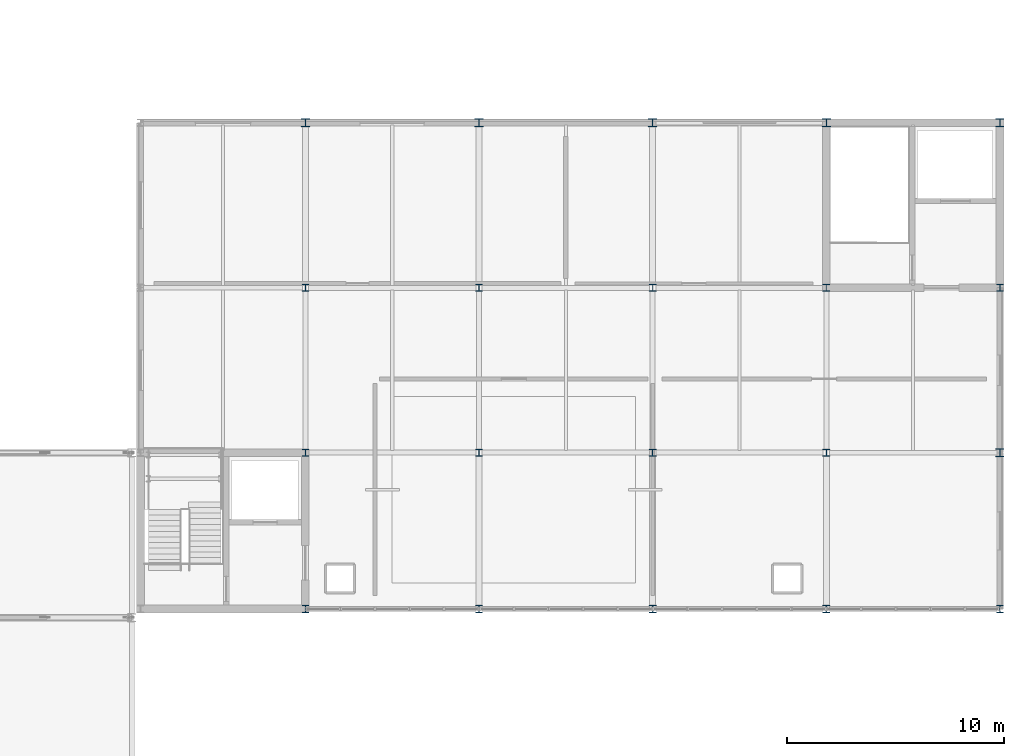
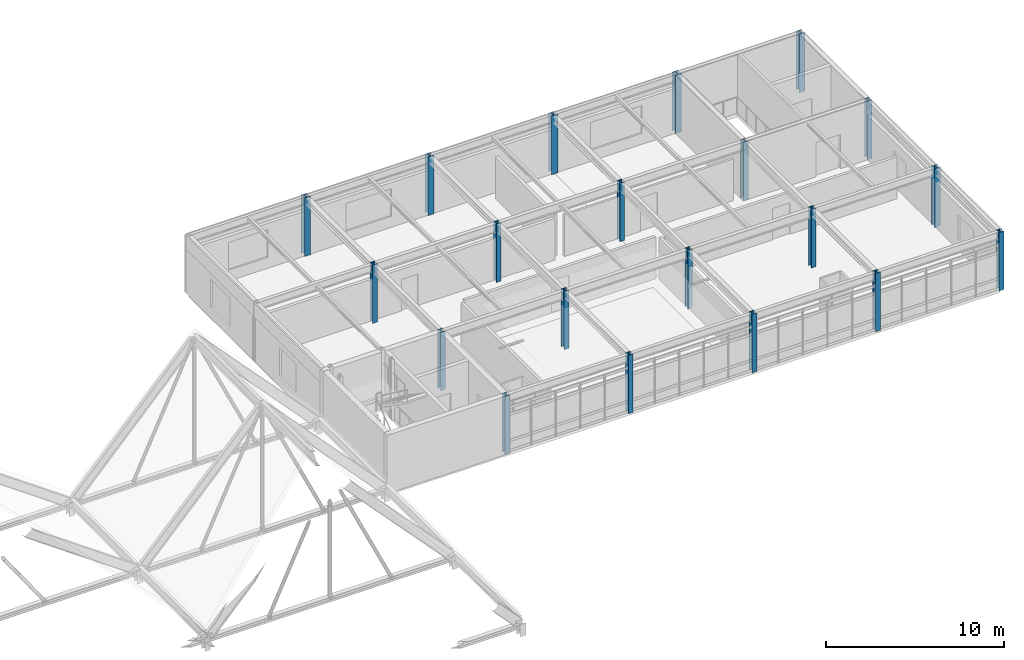
# One storey, part 13 of 85: 20 columns.
"""IFC4 building model written with IfcOpenShell, lengths in metres."""

import ifcopenshell
import ifcopenshell.guid

model = None  # the IFC model being written
_history = None  # IfcOwnerHistory: only IFC2X3 demands one
_inside = {}  # id of a spatial element -> (the spatial element, [elements in it])
_under = {}  # id of a project, library or spatial element -> (it, [spatial elements below it])
_declared = {}  # id of a project -> (the project, [libraries it declares])
_typed = {}  # id of a type object -> (the type object, [elements of that type])
_made_of = {}  # id of a material, layer set ... -> (it, [elements and type objects made of it])


def new_model(schema):
    """Start an empty IFC model of exactly this schema.

    Asked for "IFC4X3", IfcOpenShell would pick the latest addendum, in which some entities
    have other attributes; the version numbers below select the first issue.
    IFC2X3 requires an IfcOwnerHistory on every rooted entity: one is made here for all.
    """
    global model, _history
    if schema == "IFC4X3":
        model = ifcopenshell.file(schema_version=(4, 3, 0, 0))
    else:
        model = ifcopenshell.file(schema=schema)
    _inside.clear()
    _under.clear()
    _declared.clear()
    _typed.clear()
    _made_of.clear()
    _history = None
    if model.schema == "IFC2X3":
        org = make("IfcOrganization", Name="unknown")
        user = make(
            "IfcPersonAndOrganization",
            ThePerson=make("IfcPerson", FamilyName="unknown"),
            TheOrganization=org,
        )
        app = make(
            "IfcApplication",
            ApplicationDeveloper=org,
            Version="unknown",
            ApplicationFullName="unknown",
            ApplicationIdentifier="unknown",
        )
        _history = make(
            "IfcOwnerHistory",
            OwningUser=user,
            OwningApplication=app,
            ChangeAction="ADDED",
            CreationDate=0,
        )
    return model


def make(cls, **values):
    """One entity of the class cls with the attributes given. An attribute that is None is left unset."""
    return model.create_entity(
        cls, **{name: value for name, value in values.items() if value is not None}
    )


def rooted(cls, **values):
    """An entity with a GlobalId (a new one), such as an element, a storey or a relation."""
    return make(cls, GlobalId=ifcopenshell.guid.new(), OwnerHistory=_history, **values)


def si_unit(unit_type, name, prefix=None):
    """IfcSIUnit, for example si_unit("LENGTHUNIT", "METRE", prefix="MILLI")."""
    return make("IfcSIUnit", UnitType=unit_type, Prefix=prefix, Name=name)


def assignment(units):
    """IfcUnitAssignment: the units of a project."""
    return None if units is None else make("IfcUnitAssignment", Units=units)


def point(xyz):
    """IfcCartesianPoint."""
    return None if xyz is None else make("IfcCartesianPoint", Coordinates=xyz)


def direction(xyz):
    """IfcDirection."""
    return None if xyz is None else make("IfcDirection", DirectionRatios=xyz)


def frame(location, z_axis=None, x_axis=None):
    """IfcAxis2Placement3D, a coordinate frame: its origin and axes. An axis left out is left unset."""
    return make(
        "IfcAxis2Placement3D",
        Location=point(location),
        Axis=direction(z_axis),
        RefDirection=direction(x_axis),
    )


def frame_2d(location, x_axis=None):
    """IfcAxis2Placement2D, a coordinate frame in the plane: its origin and x axis."""
    return make(
        "IfcAxis2Placement2D", Location=point(location), RefDirection=direction(x_axis)
    )


def origin():
    """The frame at (0, 0, 0) with its axes left unset."""
    return frame((0.0, 0.0, 0.0))


def origin_2d():
    """The frame at (0, 0) in the plane with its x axis left unset."""
    return frame_2d((0.0, 0.0))


def place(relative_to, where):
    """IfcLocalPlacement: puts the frame where relative to a parent placement (None: the world)."""
    return make(
        "IfcLocalPlacement", PlacementRelTo=relative_to, RelativePlacement=where
    )


def context(
    kind, dimensions, precision=None, world=None, true_north=None, identifier=None
):
    """IfcGeometricRepresentationContext, for example the 3D "Model" context."""
    return make(
        "IfcGeometricRepresentationContext",
        ContextIdentifier=identifier,
        ContextType=kind,
        CoordinateSpaceDimension=dimensions,
        Precision=precision,
        WorldCoordinateSystem=world,
        TrueNorth=true_north,
    )


def subcontext(parent, identifier, kind, view, scale=None):
    """IfcGeometricRepresentationSubContext, for example "Body" below "Model"."""
    return make(
        "IfcGeometricRepresentationSubContext",
        ContextIdentifier=identifier,
        ContextType=kind,
        ParentContext=parent,
        TargetScale=scale,
        TargetView=view,
    )


def project(units=None, contexts=None):
    """IfcProject with its units and contexts."""
    return rooted(
        "IfcProject",
        Name="project",
        RepresentationContexts=contexts,
        UnitsInContext=assignment(units),
    )


def spatial(cls, under=None, at=None, **own):
    """A site, building, storey or space (cls), placed at a placement, below another one or the project."""
    s = rooted(cls, ObjectPlacement=at, **own)
    if under is not None:
        _under.setdefault(under.id(), (under, []))[1].append(s)
    return s


def profile(cls, at=None, kind="AREA", **sizes):
    """A parametric profile (cls). Its sizes go by their IFC names, for example OverallWidth=200.0."""
    return make(cls, ProfileType=kind, Position=at, **sizes)


def i_section(**sizes):
    """IfcIShapeProfileDef."""
    return profile("IfcIShapeProfileDef", **sizes)


def extrude(swept, where, along, depth):
    """IfcExtrudedAreaSolid: the profile swept, set in the frame where, extruded along a direction by depth."""
    return make(
        "IfcExtrudedAreaSolid",
        SweptArea=swept,
        Position=where,
        ExtrudedDirection=direction(along),
        Depth=depth,
    )


def shape(context_of_items, identifier, shape_type, items):
    """IfcShapeRepresentation: the items that make up one representation, for example the "Body"."""
    return make(
        "IfcShapeRepresentation",
        ContextOfItems=context_of_items,
        RepresentationIdentifier=identifier,
        RepresentationType=shape_type,
        Items=items,
    )


def material(Name=None, Category=None):
    """IfcMaterial."""
    return make("IfcMaterial", Name=Name, Category=Category)


def material_profile(
    of_material, cross_section, Name=None, Category=None, Priority=None
):
    """IfcMaterialProfile: a cross section and its material."""
    return make(
        "IfcMaterialProfile",
        Name=Name,
        Material=of_material,
        Profile=cross_section,
        Priority=Priority,
        Category=Category,
    )


def profile_set(profiles, Name=None, composite=None):
    """IfcMaterialProfileSet."""
    return make(
        "IfcMaterialProfileSet",
        Name=Name,
        MaterialProfiles=profiles,
        CompositeProfile=composite,
    )


def made_of(thing, what):
    """Note that an element or type object is made of a material, layer set ...; save() writes the relation."""
    if what is not None:
        _made_of.setdefault(what.id(), (what, []))[1].append(thing)
    return thing


def type_object(cls, material=None, **own):
    """A type object (cls), such as IfcWallType, which elements share."""
    return made_of(rooted(cls, **own), material)


def element(
    cls,
    number,
    at=None,
    inside=None,
    cuts=None,
    type_object=None,
    material=None,
    context=None,
    identifier="Body",
    shape_type=None,
    held_by="IfcProductDefinitionShape",
    body=None,
    shapes=None,
    **own,
):
    """One element of the class cls, such as IfcWall. Its Tag is "e" and its number.

    at: its placement. inside: the storey or other place that contains it. cuts: it is an
    opening in that element (IfcRelVoidsElement). A single representation is given by context,
    identifier, shape_type and body (its items); several are given by shapes. held_by: the class
    of the entity that holds the representations. save() writes the other relations.
    """
    e = rooted(cls, Tag="e%d" % number, ObjectPlacement=at, **own)
    if body is not None:
        shapes = [shape(context, identifier, shape_type, body)]
    if shapes is not None:
        e.Representation = make(held_by, Representations=shapes)
    if inside is not None:
        _inside.setdefault(inside.id(), (inside, []))[1].append(e)
    if cuts is not None:
        rooted(
            "IfcRelVoidsElement", RelatingBuildingElement=cuts, RelatedOpeningElement=e
        )
    if type_object is not None:
        _typed.setdefault(type_object.id(), (type_object, []))[1].append(e)
    return made_of(e, material)


def aggregate(whole, parts):
    """IfcRelAggregates: a whole, such as a stair, and the parts it consists of."""
    return rooted("IfcRelAggregates", RelatingObject=whole, RelatedObjects=parts)


def save(model, path):
    """Write the relations noted so far, then the file.

    IfcRelAggregates (storeys below a building ...), IfcRelContainedInSpatialStructure (elements
    in a storey), IfcRelDefinesByType, IfcRelAssociatesMaterial and IfcRelDeclares: one each for
    every whole, place, type object, material and project.
    """
    for whole, parts in _under.values():
        aggregate(whole, parts)
    for where, things in _inside.values():
        rooted(
            "IfcRelContainedInSpatialStructure",
            RelatedElements=things,
            RelatingStructure=where,
        )
    for kind, things in _typed.values():
        rooted("IfcRelDefinesByType", RelatedObjects=things, RelatingType=kind)
    for what, things in _made_of.values():
        rooted("IfcRelAssociatesMaterial", RelatedObjects=things, RelatingMaterial=what)
    for by, libraries in _declared.values():
        rooted("IfcRelDeclares", RelatingContext=by, RelatedDefinitions=libraries)
    model.write(path)


model = new_model("IFC4")

# Units and contexts
model_context = context("Model", 3, precision=1e-05, world=origin(), true_north=direction((0.0, 1.0)))
body_context = subcontext(model_context, "Body", "Model", "MODEL_VIEW")
ifc_project = project(units=[si_unit("LENGTHUNIT", "METRE"), si_unit("AREAUNIT", "SQUARE_METRE"), si_unit("VOLUMEUNIT", "CUBIC_METRE"), si_unit("PLANEANGLEUNIT", "RADIAN"), si_unit("MASSUNIT", "GRAM", prefix="KILO")], contexts=[model_context])

# Site, building, storey
site_placement = place(None, origin())
site = spatial("IfcSite", under=ifc_project, at=site_placement, CompositionType="ELEMENT")
building_placement = place(site_placement, origin())
building = spatial("IfcBuilding", under=site, at=building_placement, Name="Zulena Civic Courthouse", CompositionType="ELEMENT")
storey_placement = place(building_placement, frame((0.0, 0.0, 25.199951171875)))
storey = spatial("IfcBuildingStorey", under=building, at=storey_placement, Name="L05", CompositionType="ELEMENT", Elevation=25.199951171875)

# Columns
ifc_material = material(Name="Steel ASTM A992 Grade 50", Category="steel")
ifc_material_profile_1 = material_profile(ifc_material, i_section(OverallWidth=0.31298828125, OverallDepth=0.3330078125, WebThickness=0.01806640625, FlangeThickness=0.0283203125, FilletRadius=0.01513671875, at=origin_2d()), Name="W12X120")
ifc_profile_set_1 = profile_set([ifc_material_profile_1], Name="Steel ASTM A992 Grade 50")
column_type_1 = type_object("IfcColumnType", Name="Col_W12X120", PredefinedType="COLUMN", material=ifc_profile_set_1)
for number, where, z_axis, x_axis, name in (
    (1, (132.0, 38.0, 0.0), (0.0, 0.0, 1.0), (1.0, 0.0, 0.0), "col:V3:L05:132.0:38.0"),
    (2, (140.0, 38.0, 0.0), (0.0, 0.0, 1.0), (1.0, 0.0, 0.0), "col:V3:L05:140.0:38.0"),
    (3, (148.0, 38.0, 0.0), (0.0, 0.0, 1.0), (1.0, 0.0, 0.0), "col:V3:L05:148.0:38.0"),
    (4, (156.0, 38.0, 0.0), (0.0, 0.0, 1.0), (1.0, 0.0, 0.0), "col:V3:L05:156.0:38.0"),
):
    element("IfcColumn", number, at=place(storey_placement, frame(where, z_axis=z_axis, x_axis=x_axis)), inside=storey, type_object=column_type_1, Name=name, PredefinedType="COLUMN", context=body_context, shape_type="SweptSolid", body=[
        extrude(i_section(OverallWidth=0.31298828125, OverallDepth=0.3330078125, WebThickness=0.01806640625, FlangeThickness=0.0283203125, FilletRadius=0.01513671875, at=origin_2d()), origin(), (0.0, 0.0, 1.0), 3.9951171875),
    ])
ifc_material_profile_2 = material_profile(ifc_material, i_section(OverallWidth=0.30908203125, OverallDepth=0.322998046875, WebThickness=0.013916015625, FlangeThickness=0.02294921875, FilletRadius=0.01513671875, at=origin_2d()), Name="W12X96")
ifc_profile_set_2 = profile_set([ifc_material_profile_2], Name="Steel ASTM A992 Grade 50")
column_type_2 = type_object("IfcColumnType", Name="Col_W12X96", PredefinedType="COLUMN", material=ifc_profile_set_2)
for number, where, z_axis, x_axis, name in (
    (5, (132.0, 30.800048828125, 0.0), (0.0, 0.0, 1.0), (1.0, 0.0, 0.0), "col:V3:L05:132.0:30.8"),
    (6, (132.0, 45.60009765625, 0.0), (0.0, 0.0, 1.0), (1.0, 0.0, 0.0), "col:V3:L05:132.0:45.6"),
    (7, (140.0, 30.800048828125, 0.0), (0.0, 0.0, 1.0), (1.0, 0.0, 0.0), "col:V3:L05:140.0:30.8"),
    (8, (140.0, 45.60009765625, 0.0), (0.0, 0.0, 1.0), (1.0, 0.0, 0.0), "col:V3:L05:140.0:45.6"),
    (9, (148.0, 30.800048828125, 0.0), (0.0, 0.0, 1.0), (1.0, 0.0, 0.0), "col:V3:L05:148.0:30.8"),
    (10, (148.0, 45.60009765625, 0.0), (0.0, 0.0, 1.0), (1.0, 0.0, 0.0), "col:V3:L05:148.0:45.6"),
    (11, (156.0, 30.800048828125, 0.0), (0.0, 0.0, 1.0), (1.0, 0.0, 0.0), "col:V3:L05:156.0:30.8"),
    (12, (156.0, 45.60009765625, 0.0), (0.0, 0.0, 1.0), (1.0, 0.0, 0.0), "col:V3:L05:156.0:45.6"),
    (13, (164.0, 30.800048828125, 0.0), (0.0, 0.0, 1.0), (1.0, 0.0, 0.0), "col:V3:L05:164.0:30.8"),
    (14, (164.0, 45.60009765625, 0.0), (0.0, 0.0, 1.0), (1.0, 0.0, 0.0), "col:V3:L05:164.0:45.6"),
):
    element("IfcColumn", number, at=place(storey_placement, frame(where, z_axis=z_axis, x_axis=x_axis)), inside=storey, type_object=column_type_2, Name=name, PredefinedType="COLUMN", context=body_context, shape_type="SweptSolid", body=[
        extrude(i_section(OverallWidth=0.30908203125, OverallDepth=0.322998046875, WebThickness=0.013916015625, FlangeThickness=0.02294921875, FilletRadius=0.01513671875, at=origin_2d()), origin(), (0.0, 0.0, 1.0), 3.9951171875),
    ])
ifc_material_profile_3 = material_profile(ifc_material, i_section(OverallWidth=0.373046875, OverallDepth=0.367919921875, WebThickness=0.014892578125, FlangeThickness=0.02392578125, FilletRadius=0.01513671875, at=origin_2d()), Name="W14X120")
ifc_profile_set_3 = profile_set([ifc_material_profile_3], Name="Steel ASTM A992 Grade 50")
column_type_3 = type_object("IfcColumnType", Name="Col_W14X120", PredefinedType="COLUMN", material=ifc_profile_set_3)
for number, where, z_axis, x_axis, name in (
    (15, (164.0, 38.0, 0.0), (0.0, 0.0, 1.0), (1.0, 0.0, 0.0), "col:V3:L05:164.0:38.0"),
    (16, (164.0, 53.199951171875, 0.0), (0.0, 0.0, 1.0), (1.0, 0.0, 0.0), "col:V3:L05:164.0:53.2"),
):
    element("IfcColumn", number, at=place(storey_placement, frame(where, z_axis=z_axis, x_axis=x_axis)), inside=storey, type_object=column_type_3, Name=name, PredefinedType="COLUMN", context=body_context, shape_type="SweptSolid", body=[
        extrude(i_section(OverallWidth=0.373046875, OverallDepth=0.367919921875, WebThickness=0.014892578125, FlangeThickness=0.02392578125, FilletRadius=0.01513671875, at=origin_2d()), origin(), (0.0, 0.0, 1.0), 3.9951171875),
    ])
ifc_material_profile_4 = material_profile(ifc_material, i_section(OverallWidth=0.39404296875, OverallDepth=0.3759765625, WebThickness=0.017333984375, FlangeThickness=0.027587890625, FilletRadius=0.01513671875, at=origin_2d()), Name="W14X145")
ifc_profile_set_4 = profile_set([ifc_material_profile_4], Name="Steel ASTM A992 Grade 50")
column_type_4 = type_object("IfcColumnType", Name="Col_W14X145", PredefinedType="COLUMN", material=ifc_profile_set_4)
for number, where, z_axis, x_axis, name in (
    (17, (132.0, 53.199951171875, 0.0), (0.0, 0.0, 1.0), (1.0, 0.0, 0.0), "col:V3:L05:132.0:53.2"),
    (18, (140.0, 53.199951171875, 0.0), (0.0, 0.0, 1.0), (1.0, 0.0, 0.0), "col:V3:L05:140.0:53.2"),
    (19, (148.0, 53.199951171875, 0.0), (0.0, 0.0, 1.0), (1.0, 0.0, 0.0), "col:V3:L05:148.0:53.2"),
    (20, (156.0, 53.199951171875, 0.0), (0.0, 0.0, 1.0), (1.0, 0.0, 0.0), "col:V3:L05:156.0:53.2"),
):
    element("IfcColumn", number, at=place(storey_placement, frame(where, z_axis=z_axis, x_axis=x_axis)), inside=storey, type_object=column_type_4, Name=name, PredefinedType="COLUMN", context=body_context, shape_type="SweptSolid", body=[
        extrude(i_section(OverallWidth=0.39404296875, OverallDepth=0.3759765625, WebThickness=0.017333984375, FlangeThickness=0.027587890625, FilletRadius=0.01513671875, at=origin_2d()), origin(), (0.0, 0.0, 1.0), 3.9951171875),
    ])

save(model, "model.ifc")
